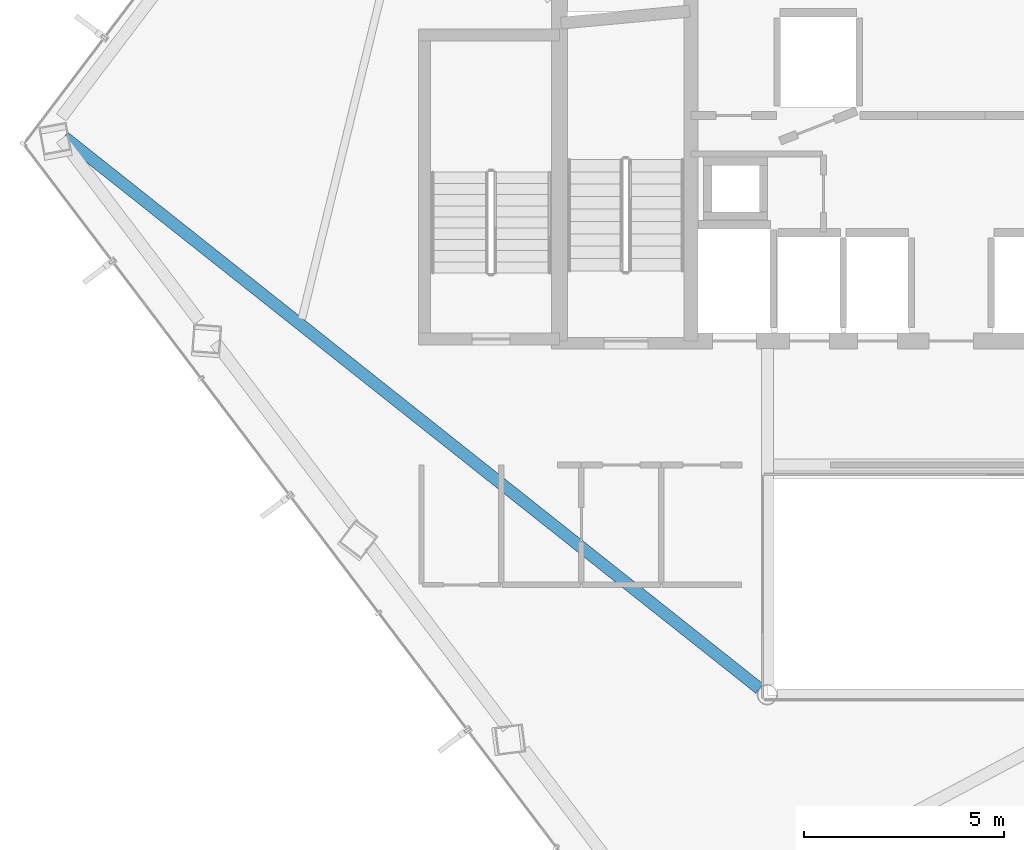
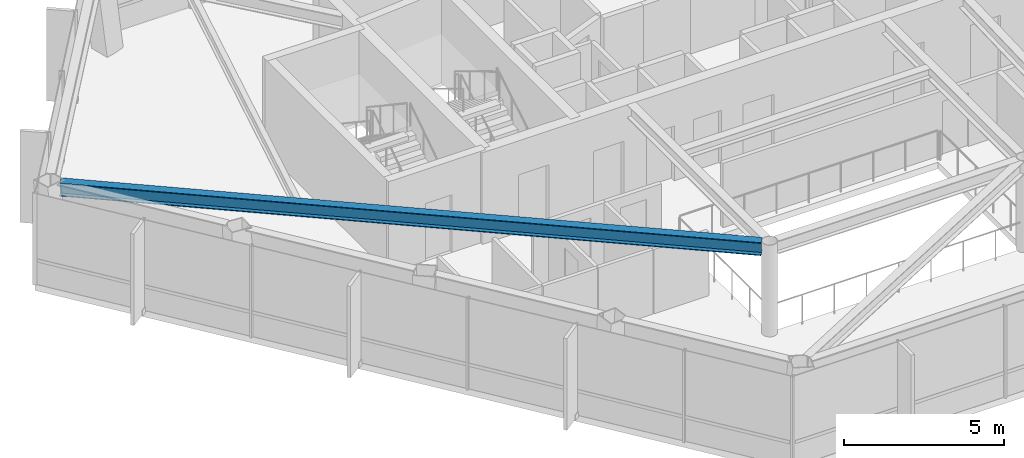
# One storey, part 5 of 27: 1 beam.
"""IFC4 building model written with IfcOpenShell, lengths in metres."""

import ifcopenshell
import ifcopenshell.guid

model = None  # the IFC model being written
_history = None  # IfcOwnerHistory: only IFC2X3 demands one
_inside = {}  # id of a spatial element -> (the spatial element, [elements in it])
_under = {}  # id of a project, library or spatial element -> (it, [spatial elements below it])
_declared = {}  # id of a project -> (the project, [libraries it declares])
_typed = {}  # id of a type object -> (the type object, [elements of that type])
_made_of = {}  # id of a material, layer set ... -> (it, [elements and type objects made of it])


def new_model(schema):
    """Start an empty IFC model of exactly this schema.

    Asked for "IFC4X3", IfcOpenShell would pick the latest addendum, in which some entities
    have other attributes; the version numbers below select the first issue.
    IFC2X3 requires an IfcOwnerHistory on every rooted entity: one is made here for all.
    """
    global model, _history
    if schema == "IFC4X3":
        model = ifcopenshell.file(schema_version=(4, 3, 0, 0))
    else:
        model = ifcopenshell.file(schema=schema)
    _inside.clear()
    _under.clear()
    _declared.clear()
    _typed.clear()
    _made_of.clear()
    _history = None
    if model.schema == "IFC2X3":
        org = make("IfcOrganization", Name="unknown")
        user = make(
            "IfcPersonAndOrganization",
            ThePerson=make("IfcPerson", FamilyName="unknown"),
            TheOrganization=org,
        )
        app = make(
            "IfcApplication",
            ApplicationDeveloper=org,
            Version="unknown",
            ApplicationFullName="unknown",
            ApplicationIdentifier="unknown",
        )
        _history = make(
            "IfcOwnerHistory",
            OwningUser=user,
            OwningApplication=app,
            ChangeAction="ADDED",
            CreationDate=0,
        )
    return model


def make(cls, **values):
    """One entity of the class cls with the attributes given. An attribute that is None is left unset."""
    return model.create_entity(
        cls, **{name: value for name, value in values.items() if value is not None}
    )


def rooted(cls, **values):
    """An entity with a GlobalId (a new one), such as an element, a storey or a relation."""
    return make(cls, GlobalId=ifcopenshell.guid.new(), OwnerHistory=_history, **values)


def si_unit(unit_type, name, prefix=None):
    """IfcSIUnit, for example si_unit("LENGTHUNIT", "METRE", prefix="MILLI")."""
    return make("IfcSIUnit", UnitType=unit_type, Prefix=prefix, Name=name)


def assignment(units):
    """IfcUnitAssignment: the units of a project."""
    return None if units is None else make("IfcUnitAssignment", Units=units)


def point(xyz):
    """IfcCartesianPoint."""
    return None if xyz is None else make("IfcCartesianPoint", Coordinates=xyz)


def direction(xyz):
    """IfcDirection."""
    return None if xyz is None else make("IfcDirection", DirectionRatios=xyz)


def frame(location, z_axis=None, x_axis=None):
    """IfcAxis2Placement3D, a coordinate frame: its origin and axes. An axis left out is left unset."""
    return make(
        "IfcAxis2Placement3D",
        Location=point(location),
        Axis=direction(z_axis),
        RefDirection=direction(x_axis),
    )


def frame_2d(location, x_axis=None):
    """IfcAxis2Placement2D, a coordinate frame in the plane: its origin and x axis."""
    return make(
        "IfcAxis2Placement2D", Location=point(location), RefDirection=direction(x_axis)
    )


def origin():
    """The frame at (0, 0, 0) with its axes left unset."""
    return frame((0.0, 0.0, 0.0))


def origin_2d():
    """The frame at (0, 0) in the plane with its x axis left unset."""
    return frame_2d((0.0, 0.0))


def place(relative_to, where):
    """IfcLocalPlacement: puts the frame where relative to a parent placement (None: the world)."""
    return make(
        "IfcLocalPlacement", PlacementRelTo=relative_to, RelativePlacement=where
    )


def context(
    kind, dimensions, precision=None, world=None, true_north=None, identifier=None
):
    """IfcGeometricRepresentationContext, for example the 3D "Model" context."""
    return make(
        "IfcGeometricRepresentationContext",
        ContextIdentifier=identifier,
        ContextType=kind,
        CoordinateSpaceDimension=dimensions,
        Precision=precision,
        WorldCoordinateSystem=world,
        TrueNorth=true_north,
    )


def subcontext(parent, identifier, kind, view, scale=None):
    """IfcGeometricRepresentationSubContext, for example "Body" below "Model"."""
    return make(
        "IfcGeometricRepresentationSubContext",
        ContextIdentifier=identifier,
        ContextType=kind,
        ParentContext=parent,
        TargetScale=scale,
        TargetView=view,
    )


def project(units=None, contexts=None):
    """IfcProject with its units and contexts."""
    return rooted(
        "IfcProject",
        Name="project",
        RepresentationContexts=contexts,
        UnitsInContext=assignment(units),
    )


def spatial(cls, under=None, at=None, **own):
    """A site, building, storey or space (cls), placed at a placement, below another one or the project."""
    s = rooted(cls, ObjectPlacement=at, **own)
    if under is not None:
        _under.setdefault(under.id(), (under, []))[1].append(s)
    return s


def profile(cls, at=None, kind="AREA", **sizes):
    """A parametric profile (cls). Its sizes go by their IFC names, for example OverallWidth=200.0."""
    return make(cls, ProfileType=kind, Position=at, **sizes)


def i_section(**sizes):
    """IfcIShapeProfileDef."""
    return profile("IfcIShapeProfileDef", **sizes)


def extrude(swept, where, along, depth):
    """IfcExtrudedAreaSolid: the profile swept, set in the frame where, extruded along a direction by depth."""
    return make(
        "IfcExtrudedAreaSolid",
        SweptArea=swept,
        Position=where,
        ExtrudedDirection=direction(along),
        Depth=depth,
    )


def shape(context_of_items, identifier, shape_type, items):
    """IfcShapeRepresentation: the items that make up one representation, for example the "Body"."""
    return make(
        "IfcShapeRepresentation",
        ContextOfItems=context_of_items,
        RepresentationIdentifier=identifier,
        RepresentationType=shape_type,
        Items=items,
    )


def material(Name=None, Category=None):
    """IfcMaterial."""
    return make("IfcMaterial", Name=Name, Category=Category)


def material_profile(
    of_material, cross_section, Name=None, Category=None, Priority=None
):
    """IfcMaterialProfile: a cross section and its material."""
    return make(
        "IfcMaterialProfile",
        Name=Name,
        Material=of_material,
        Profile=cross_section,
        Priority=Priority,
        Category=Category,
    )


def profile_set(profiles, Name=None, composite=None):
    """IfcMaterialProfileSet."""
    return make(
        "IfcMaterialProfileSet",
        Name=Name,
        MaterialProfiles=profiles,
        CompositeProfile=composite,
    )


def made_of(thing, what):
    """Note that an element or type object is made of a material, layer set ...; save() writes the relation."""
    if what is not None:
        _made_of.setdefault(what.id(), (what, []))[1].append(thing)
    return thing


def type_object(cls, material=None, **own):
    """A type object (cls), such as IfcWallType, which elements share."""
    return made_of(rooted(cls, **own), material)


def element(
    cls,
    number,
    at=None,
    inside=None,
    cuts=None,
    type_object=None,
    material=None,
    context=None,
    identifier="Body",
    shape_type=None,
    held_by="IfcProductDefinitionShape",
    body=None,
    shapes=None,
    **own,
):
    """One element of the class cls, such as IfcWall. Its Tag is "e" and its number.

    at: its placement. inside: the storey or other place that contains it. cuts: it is an
    opening in that element (IfcRelVoidsElement). A single representation is given by context,
    identifier, shape_type and body (its items); several are given by shapes. held_by: the class
    of the entity that holds the representations. save() writes the other relations.
    """
    e = rooted(cls, Tag="e%d" % number, ObjectPlacement=at, **own)
    if body is not None:
        shapes = [shape(context, identifier, shape_type, body)]
    if shapes is not None:
        e.Representation = make(held_by, Representations=shapes)
    if inside is not None:
        _inside.setdefault(inside.id(), (inside, []))[1].append(e)
    if cuts is not None:
        rooted(
            "IfcRelVoidsElement", RelatingBuildingElement=cuts, RelatedOpeningElement=e
        )
    if type_object is not None:
        _typed.setdefault(type_object.id(), (type_object, []))[1].append(e)
    return made_of(e, material)


def aggregate(whole, parts):
    """IfcRelAggregates: a whole, such as a stair, and the parts it consists of."""
    return rooted("IfcRelAggregates", RelatingObject=whole, RelatedObjects=parts)


def save(model, path):
    """Write the relations noted so far, then the file.

    IfcRelAggregates (storeys below a building ...), IfcRelContainedInSpatialStructure (elements
    in a storey), IfcRelDefinesByType, IfcRelAssociatesMaterial and IfcRelDeclares: one each for
    every whole, place, type object, material and project.
    """
    for whole, parts in _under.values():
        aggregate(whole, parts)
    for where, things in _inside.values():
        rooted(
            "IfcRelContainedInSpatialStructure",
            RelatedElements=things,
            RelatingStructure=where,
        )
    for kind, things in _typed.values():
        rooted("IfcRelDefinesByType", RelatedObjects=things, RelatingType=kind)
    for what, things in _made_of.values():
        rooted("IfcRelAssociatesMaterial", RelatedObjects=things, RelatingMaterial=what)
    for by, libraries in _declared.values():
        rooted("IfcRelDeclares", RelatingContext=by, RelatedDefinitions=libraries)
    model.write(path)


model = new_model("IFC4")

# Units and contexts
model_context = context("Model", 3, precision=1e-05, world=origin(), true_north=direction((0.0, 1.0)))
body_context = subcontext(model_context, "Body", "Model", "MODEL_VIEW")
ifc_project = project(units=[si_unit("LENGTHUNIT", "METRE"), si_unit("AREAUNIT", "SQUARE_METRE"), si_unit("VOLUMEUNIT", "CUBIC_METRE"), si_unit("PLANEANGLEUNIT", "RADIAN"), si_unit("MASSUNIT", "GRAM", prefix="KILO")], contexts=[model_context])

# Site, building, storey
site_placement = place(None, origin())
site = spatial("IfcSite", under=ifc_project, at=site_placement, CompositionType="ELEMENT")
building_placement = place(site_placement, origin())
building = spatial("IfcBuilding", under=site, at=building_placement, Name="Zarrinselat Tower", CompositionType="ELEMENT")
storey_placement = place(building_placement, frame((0.0, 0.0, 172.0400390625)))
storey = spatial("IfcBuildingStorey", under=building, at=storey_placement, Name="L42", CompositionType="ELEMENT", Elevation=172.0400390625)

# Beam
ifc_material = material(Name="Steel S355J2", Category="steel")
ifc_material_profile = material_profile(ifc_material, i_section(OverallWidth=0.300048828125, OverallDepth=0.5, WebThickness=0.014404296875, FlangeThickness=0.028076171875, at=origin_2d()), Name="HEB 500")
ifc_profile_set = profile_set([ifc_material_profile], Name="Steel S355J2")
beam_type = type_object("IfcBeamType", Name="BM-HEB500", PredefinedType="BEAM", material=ifc_profile_set)
beam_placement = place(storey_placement, frame((16.21142578125, 38.352783203125, 3.25), z_axis=(0.783426410154, -0.62148456125, 0.0), x_axis=(0.62148456125, 0.783426410154, 0.0)))
element("IfcBeam", 1, at=beam_placement, inside=storey, type_object=beam_type, Name="L42 Radial Primary Girder RG06", PredefinedType="BEAM", context=body_context, shape_type="SweptSolid", body=[
    extrude(i_section(OverallWidth=0.300048828125, OverallDepth=0.5, WebThickness=0.014404296875, FlangeThickness=0.028076171875, at=origin_2d()), origin(), (0.0, 0.0, 1.0), 22.20068359375),
])

save(model, "model.ifc")
